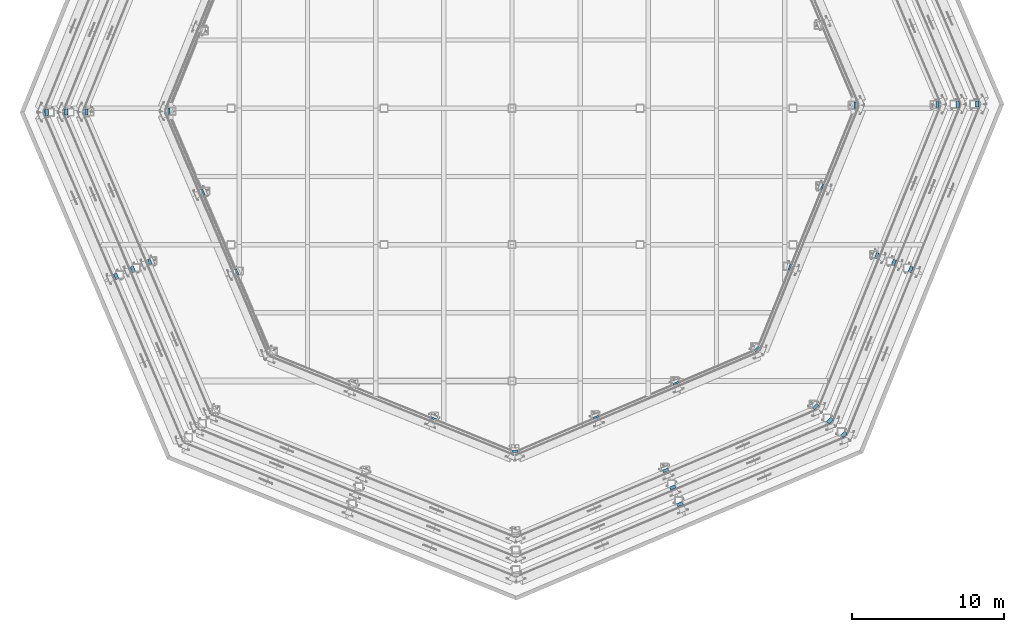
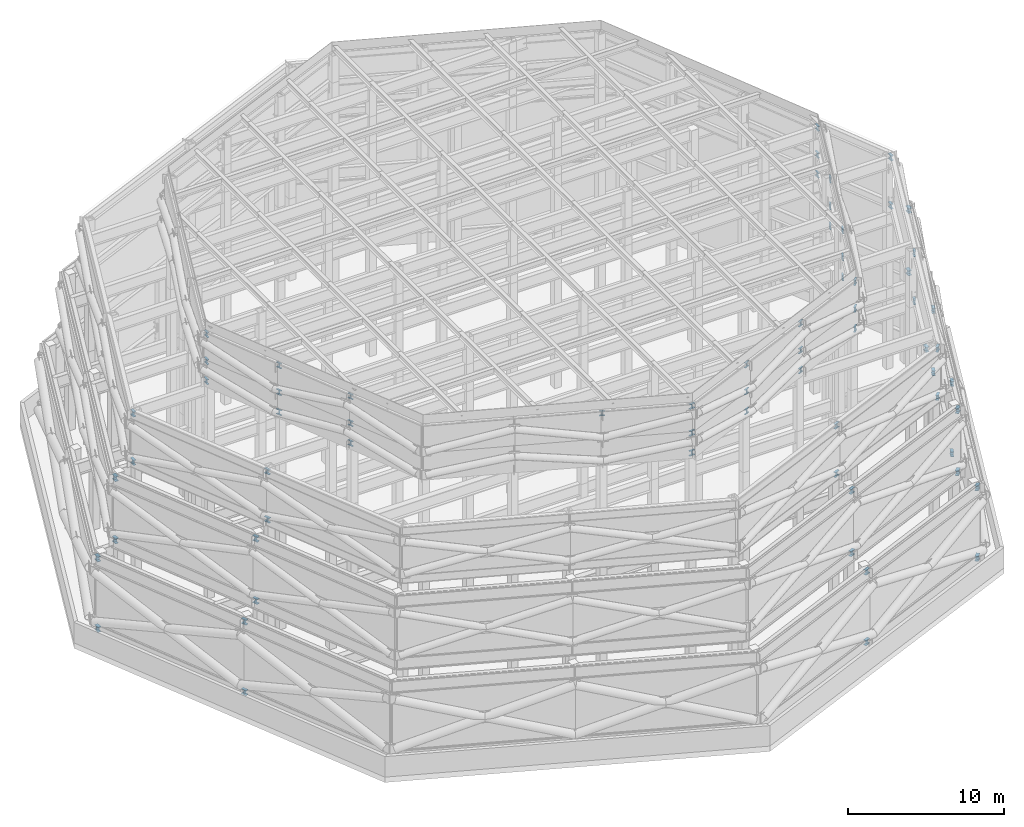
# One storey, part 14 of 19: 66 members.
"""IFC4 building model written with IfcOpenShell, lengths in metres."""

from ifc_helpers import new_model, si_unit, direction, frame, origin, origin_2d, place, context, subcontext, project, spatial, i_section, extrude, material, material_profile, profile_set, type_object, element, save


model = new_model("IFC4")

# Units and contexts
model_context = context("Model", 3, precision=1e-05, world=origin(), true_north=direction((0.0, 1.0)))
body_context = subcontext(model_context, "Body", "Model", "MODEL_VIEW")
ifc_project = project(units=[si_unit("LENGTHUNIT", "METRE"), si_unit("AREAUNIT", "SQUARE_METRE"), si_unit("VOLUMEUNIT", "CUBIC_METRE"), si_unit("PLANEANGLEUNIT", "RADIAN"), si_unit("MASSUNIT", "GRAM", prefix="KILO")], contexts=[model_context])

# Site, building, storey
site_placement = place(None, origin())
site = spatial("IfcSite", under=ifc_project, at=site_placement, CompositionType="ELEMENT")
building_placement = place(site_placement, origin())
building = spatial("IfcBuilding", under=site, at=building_placement, Name="Orlundy Tower", CompositionType="ELEMENT")
storey_placement = place(building_placement, frame((0.0, 0.0, 304.300048828125)))
storey = spatial("IfcBuildingStorey", under=building, at=storey_placement, Name="Roof", CompositionType="ELEMENT", Elevation=304.300048828125)

# Members
ifc_material = material(Name="Steel ASTM A992 Gr 50", Category="steel")
ifc_material_profile = material_profile(ifc_material, i_section(OverallWidth=0.39892578125, OverallDepth=0.393310546875, WebThickness=0.022705078125, FlangeThickness=0.03662109375, at=origin_2d()), Name="W14X193")
ifc_profile_set = profile_set([ifc_material_profile], Name="Steel ASTM A992 Gr 50")
member_type = type_object("IfcMemberType", Name="CROWN FRAME strut W14X193", PredefinedType="STRUT", material=ifc_profile_set)
member_1_placement = place(storey_placement, frame((-30.5908203125, -0.26708984375, 0.533935546875), z_axis=(-0.999959258392, -0.009026713466, 0.0), x_axis=(0.009026713466, -0.999959258392, 0.0)))
element("IfcMember", 1, at=member_1_placement, inside=storey, type_object=member_type, Name="CROWN FRAME foot ring connector 1-07", PredefinedType="STRUT", context=body_context, shape_type="SweptSolid", body=[
    extrude(i_section(OverallWidth=0.39892578125, OverallDepth=0.393310546875, WebThickness=0.022705078125, FlangeThickness=0.03662109375, at=origin_2d()), origin(), (0.0, 0.0, 1.0), 0.243408203125),
])
for number, where, z_axis, x_axis, name in (
    (2, (-26.025390625, -11.04736328125, 0.533935546875), (-0.920779335628, -0.390083856473, 0.0), (0.390083856473, -0.920779335628, 0.0), "CROWN FRAME foot ring connector 1-08"),
    (3, (11.04736328125, -26.025390625, 0.533935546875), (0.390083856473, -0.920779335628, 0.0), (0.920779335628, 0.390083856473, 0.0), "CROWN FRAME foot ring connector 1-12"),
):
    element("IfcMember", number, at=place(storey_placement, frame(where, z_axis=z_axis, x_axis=x_axis)), inside=storey, type_object=member_type, Name=name, PredefinedType="STRUT", context=body_context, shape_type="SweptSolid", body=[
        extrude(i_section(OverallWidth=0.39892578125, OverallDepth=0.393310546875, WebThickness=0.022705078125, FlangeThickness=0.03662109375, at=origin_2d()), origin(), (0.0, 0.0, 1.0), 0.21533203125),
    ])
member_2_placement = place(storey_placement, frame((21.81982421875, -21.442138671875, 0.533935546875), z_axis=(0.713591298906, -0.700562244291, 0.0), x_axis=(0.700562244291, 0.713591298906, 0.0)))
element("IfcMember", 4, at=member_2_placement, inside=storey, type_object=member_type, Name="CROWN FRAME foot ring connector 1-13", PredefinedType="STRUT", context=body_context, shape_type="SweptSolid", body=[
    extrude(i_section(OverallWidth=0.39892578125, OverallDepth=0.393310546875, WebThickness=0.022705078125, FlangeThickness=0.03662109375, at=origin_2d()), origin(), (0.0, 0.0, 1.0), 0.24365234375),
])
member_3_placement = place(storey_placement, frame((26.21435546875, -10.591064453125, 0.533935546875), z_axis=(0.926984343813, -0.375100021763, 0.0), x_axis=(0.375100021763, 0.926984343813, 0.0)))
element("IfcMember", 5, at=member_3_placement, inside=storey, type_object=member_type, Name="CROWN FRAME foot ring connector 1-14", PredefinedType="STRUT", context=body_context, shape_type="SweptSolid", body=[
    extrude(i_section(OverallWidth=0.39892578125, OverallDepth=0.393310546875, WebThickness=0.022705078125, FlangeThickness=0.03662109375, at=origin_2d()), origin(), (0.0, 0.0, 1.0), 0.21533203125),
])
member_4_placement = place(storey_placement, frame((30.5908203125, 0.26708984375, 0.533935546875), z_axis=(0.999959258392, 0.009026713466, 0.0), x_axis=(-0.009026713466, 0.999959258392, 0.0)))
element("IfcMember", 6, at=member_4_placement, inside=storey, type_object=member_type, Name="CROWN FRAME foot ring connector 1-15", PredefinedType="STRUT", context=body_context, shape_type="SweptSolid", body=[
    extrude(i_section(OverallWidth=0.39892578125, OverallDepth=0.393310546875, WebThickness=0.022705078125, FlangeThickness=0.03662109375, at=origin_2d()), origin(), (0.0, 0.0, 1.0), 0.243408203125),
])
member_5_placement = place(storey_placement, frame((-30.5908203125, -0.26708984375, 6.0263671875), z_axis=(-0.999960457125, -0.008892928967, 0.0), x_axis=(0.008892928967, -0.999960457125, 0.0)))
element("IfcMember", 7, at=member_5_placement, inside=storey, type_object=member_type, Name="CROWN FRAME head ring connector 1-07", PredefinedType="STRUT", context=body_context, shape_type="SweptSolid", body=[
    extrude(i_section(OverallWidth=0.39892578125, OverallDepth=0.393310546875, WebThickness=0.022705078125, FlangeThickness=0.03662109375, at=origin_2d()), origin(), (0.0, 0.0, 1.0), 0.2470703125),
])
for number, where, z_axis, x_axis, name in (
    (8, (-26.025390625, -11.04736328125, 6.0263671875), (-0.920411318566, -0.390951409585, 0.0), (0.390951409585, -0.920411318566, 0.0), "CROWN FRAME head ring connector 1-08"),
    (9, (11.04736328125, -26.025390625, 6.0263671875), (0.390951409585, -0.920411318566, 0.0), (0.920411318566, 0.390951409585, 0.0), "CROWN FRAME head ring connector 1-12"),
):
    element("IfcMember", number, at=place(storey_placement, frame(where, z_axis=z_axis, x_axis=x_axis)), inside=storey, type_object=member_type, Name=name, PredefinedType="STRUT", context=body_context, shape_type="SweptSolid", body=[
        extrude(i_section(OverallWidth=0.39892578125, OverallDepth=0.393310546875, WebThickness=0.022705078125, FlangeThickness=0.03662109375, at=origin_2d()), origin(), (0.0, 0.0, 1.0), 0.218505859375),
    ])
member_6_placement = place(storey_placement, frame((21.81982421875, -21.442138671875, 6.0263671875), z_axis=(0.713501090802, -0.700654118253, 0.0), x_axis=(0.700654118253, 0.713501090802, 0.0)))
element("IfcMember", 10, at=member_6_placement, inside=storey, type_object=member_type, Name="CROWN FRAME head ring connector 1-13", PredefinedType="STRUT", context=body_context, shape_type="SweptSolid", body=[
    extrude(i_section(OverallWidth=0.39892578125, OverallDepth=0.393310546875, WebThickness=0.022705078125, FlangeThickness=0.03662109375, at=origin_2d()), origin(), (0.0, 0.0, 1.0), 0.2470703125),
])
member_7_placement = place(storey_placement, frame((26.21435546875, -10.591064453125, 6.0263671875), z_axis=(0.92692831694, -0.375238451195, 0.0), x_axis=(0.375238451195, 0.92692831694, 0.0)))
element("IfcMember", 11, at=member_7_placement, inside=storey, type_object=member_type, Name="CROWN FRAME head ring connector 1-14", PredefinedType="STRUT", context=body_context, shape_type="SweptSolid", body=[
    extrude(i_section(OverallWidth=0.39892578125, OverallDepth=0.393310546875, WebThickness=0.022705078125, FlangeThickness=0.03662109375, at=origin_2d()), origin(), (0.0, 0.0, 1.0), 0.218505859375),
])
member_8_placement = place(storey_placement, frame((-29.2919921875, -0.255859375, 6.9736328125), z_axis=(-0.999968755858, -0.007904891351, 0.0), x_axis=(0.007904891351, -0.999968755858, 0.0)))
element("IfcMember", 12, at=member_8_placement, inside=storey, type_object=member_type, Name="CROWN FRAME foot ring connector 2-07", PredefinedType="STRUT", context=body_context, shape_type="SweptSolid", body=[
    extrude(i_section(OverallWidth=0.39892578125, OverallDepth=0.393310546875, WebThickness=0.022705078125, FlangeThickness=0.03662109375, at=origin_2d()), origin(), (0.0, 0.0, 1.0), 0.2470703125),
])
for number, where, z_axis, x_axis, name in (
    (13, (-24.9208984375, -10.578369140625, 6.9736328125), (-0.920240328682, -0.391353724227, 0.0), (0.391353724227, -0.920240328682, 0.0), "CROWN FRAME foot ring connector 2-08"),
    (14, (10.578369140625, -24.9208984375, 6.9736328125), (0.391353724227, -0.920240328682, 0.0), (0.920240328682, 0.391353724227, 0.0), "CROWN FRAME foot ring connector 2-12"),
):
    element("IfcMember", number, at=place(storey_placement, frame(where, z_axis=z_axis, x_axis=x_axis)), inside=storey, type_object=member_type, Name=name, PredefinedType="STRUT", context=body_context, shape_type="SweptSolid", body=[
        extrude(i_section(OverallWidth=0.39892578125, OverallDepth=0.393310546875, WebThickness=0.022705078125, FlangeThickness=0.03662109375, at=origin_2d()), origin(), (0.0, 0.0, 1.0), 0.21826171875),
    ])
member_9_placement = place(storey_placement, frame((20.8935546875, -20.53173828125, 6.9736328125), z_axis=(0.713015439878, -0.701148331308, 0.0), x_axis=(0.701148331308, 0.713015439878, 0.0)))
element("IfcMember", 15, at=member_9_placement, inside=storey, type_object=member_type, Name="CROWN FRAME foot ring connector 2-13", PredefinedType="STRUT", context=body_context, shape_type="SweptSolid", body=[
    extrude(i_section(OverallWidth=0.39892578125, OverallDepth=0.393310546875, WebThickness=0.022705078125, FlangeThickness=0.03662109375, at=origin_2d()), origin(), (0.0, 0.0, 1.0), 0.246826171875),
])
member_10_placement = place(storey_placement, frame((25.101806640625, -10.1416015625, 6.9736328125), z_axis=(0.927159667868, -0.374666452033, 0.0), x_axis=(0.374666452033, 0.927159667868, 0.0)))
element("IfcMember", 16, at=member_10_placement, inside=storey, type_object=member_type, Name="CROWN FRAME foot ring connector 2-14", PredefinedType="STRUT", context=body_context, shape_type="SweptSolid", body=[
    extrude(i_section(OverallWidth=0.39892578125, OverallDepth=0.393310546875, WebThickness=0.022705078125, FlangeThickness=0.03662109375, at=origin_2d()), origin(), (0.0, 0.0, 1.0), 0.21826171875),
])
for number, where, z_axis, x_axis, name in (
    (17, (29.2919921875, 0.255859375, 6.9736328125), (0.999968755858, 0.007904891351, 0.0), (-0.007904891351, 0.999968755858, 0.0), "CROWN FRAME foot ring connector 2-15"),
    (18, (-29.2919921875, -0.255859375, 11.826416015625), (-0.999968755858, -0.007904891351, 0.0), (0.007904891351, -0.999968755858, 0.0), "CROWN FRAME head ring connector 2-07"),
):
    element("IfcMember", number, at=place(storey_placement, frame(where, z_axis=z_axis, x_axis=x_axis)), inside=storey, type_object=member_type, Name=name, PredefinedType="STRUT", context=body_context, shape_type="SweptSolid", body=[
        extrude(i_section(OverallWidth=0.39892578125, OverallDepth=0.393310546875, WebThickness=0.022705078125, FlangeThickness=0.03662109375, at=origin_2d()), origin(), (0.0, 0.0, 1.0), 0.2470703125),
    ])
for number, where, z_axis, x_axis, name in (
    (19, (-24.9208984375, -10.578369140625, 11.826416015625), (-0.920240328682, -0.391353724227, 0.0), (0.391353724227, -0.920240328682, 0.0), "CROWN FRAME head ring connector 2-08"),
    (20, (10.578369140625, -24.9208984375, 11.826416015625), (0.391353724227, -0.920240328682, 0.0), (0.920240328682, 0.391353724227, 0.0), "CROWN FRAME head ring connector 2-12"),
):
    element("IfcMember", number, at=place(storey_placement, frame(where, z_axis=z_axis, x_axis=x_axis)), inside=storey, type_object=member_type, Name=name, PredefinedType="STRUT", context=body_context, shape_type="SweptSolid", body=[
        extrude(i_section(OverallWidth=0.39892578125, OverallDepth=0.393310546875, WebThickness=0.022705078125, FlangeThickness=0.03662109375, at=origin_2d()), origin(), (0.0, 0.0, 1.0), 0.21826171875),
    ])
member_11_placement = place(storey_placement, frame((20.8935546875, -20.53173828125, 11.826416015625), z_axis=(0.713015439878, -0.701148331308, 0.0), x_axis=(0.701148331308, 0.713015439878, 0.0)))
element("IfcMember", 21, at=member_11_placement, inside=storey, type_object=member_type, Name="CROWN FRAME head ring connector 2-13", PredefinedType="STRUT", context=body_context, shape_type="SweptSolid", body=[
    extrude(i_section(OverallWidth=0.39892578125, OverallDepth=0.393310546875, WebThickness=0.022705078125, FlangeThickness=0.03662109375, at=origin_2d()), origin(), (0.0, 0.0, 1.0), 0.246826171875),
])
member_12_placement = place(storey_placement, frame((25.101806640625, -10.1416015625, 11.826416015625), z_axis=(0.927159667868, -0.374666452033, 0.0), x_axis=(0.374666452033, 0.927159667868, 0.0)))
element("IfcMember", 22, at=member_12_placement, inside=storey, type_object=member_type, Name="CROWN FRAME head ring connector 2-14", PredefinedType="STRUT", context=body_context, shape_type="SweptSolid", body=[
    extrude(i_section(OverallWidth=0.39892578125, OverallDepth=0.393310546875, WebThickness=0.022705078125, FlangeThickness=0.03662109375, at=origin_2d()), origin(), (0.0, 0.0, 1.0), 0.21826171875),
])
member_13_placement = place(storey_placement, frame((29.2919921875, 0.255859375, 11.826416015625), z_axis=(0.999968755858, 0.007904891351, 0.0), x_axis=(-0.007904891351, 0.999968755858, 0.0)))
element("IfcMember", 23, at=member_13_placement, inside=storey, type_object=member_type, Name="CROWN FRAME head ring connector 2-15", PredefinedType="STRUT", context=body_context, shape_type="SweptSolid", body=[
    extrude(i_section(OverallWidth=0.39892578125, OverallDepth=0.393310546875, WebThickness=0.022705078125, FlangeThickness=0.03662109375, at=origin_2d()), origin(), (0.0, 0.0, 1.0), 0.2470703125),
])
member_14_placement = place(storey_placement, frame((-27.9931640625, -0.244384765625, 12.617431640625), z_axis=(-0.999962006418, -0.008716978885, 0.0), x_axis=(0.008716978885, -0.999962006418, 0.0)))
element("IfcMember", 24, at=member_14_placement, inside=storey, type_object=member_type, Name="CROWN FRAME foot ring connector 3-07", PredefinedType="STRUT", context=body_context, shape_type="SweptSolid", body=[
    extrude(i_section(OverallWidth=0.39892578125, OverallDepth=0.393310546875, WebThickness=0.022705078125, FlangeThickness=0.03662109375, at=origin_2d()), origin(), (0.0, 0.0, 1.0), 0.196044921875),
])
for number, where, z_axis, x_axis, name in (
    (25, (-23.816162109375, -10.109619140625, 12.617431640625), (-0.920829692222, -0.389964970122, 0.0), (0.389964970122, -0.920829692222, 0.0), "CROWN FRAME foot ring connector 3-08"),
    (26, (10.109619140625, -23.816162109375, 12.617431640625), (0.389964970122, -0.920829692222, 0.0), (0.920829692222, 0.389964970122, 0.0), "CROWN FRAME foot ring connector 3-12"),
):
    element("IfcMember", number, at=place(storey_placement, frame(where, z_axis=z_axis, x_axis=x_axis)), inside=storey, type_object=member_type, Name=name, PredefinedType="STRUT", context=body_context, shape_type="SweptSolid", body=[
        extrude(i_section(OverallWidth=0.39892578125, OverallDepth=0.393310546875, WebThickness=0.022705078125, FlangeThickness=0.03662109375, at=origin_2d()), origin(), (0.0, 0.0, 1.0), 0.171630859375),
    ])
member_15_placement = place(storey_placement, frame((19.967041015625, -19.621337890625, 12.617431640625), z_axis=(0.713303676443, -0.700855095703, 0.0), x_axis=(0.700855095703, 0.713303676443, 0.0)))
element("IfcMember", 27, at=member_15_placement, inside=storey, type_object=member_type, Name="CROWN FRAME foot ring connector 3-13", PredefinedType="STRUT", context=body_context, shape_type="SweptSolid", body=[
    extrude(i_section(OverallWidth=0.39892578125, OverallDepth=0.393310546875, WebThickness=0.022705078125, FlangeThickness=0.03662109375, at=origin_2d()), origin(), (0.0, 0.0, 1.0), 0.196044921875),
])
member_16_placement = place(storey_placement, frame((23.989013671875, -9.692138671875, 12.617431640625), z_axis=(0.927393722821, -0.374086731751, 0.0), x_axis=(0.374086731751, 0.927393722821, 0.0)))
element("IfcMember", 28, at=member_16_placement, inside=storey, type_object=member_type, Name="CROWN FRAME foot ring connector 3-14", PredefinedType="STRUT", context=body_context, shape_type="SweptSolid", body=[
    extrude(i_section(OverallWidth=0.39892578125, OverallDepth=0.393310546875, WebThickness=0.022705078125, FlangeThickness=0.03662109375, at=origin_2d()), origin(), (0.0, 0.0, 1.0), 0.171630859375),
])
for number, where, z_axis, x_axis, name in (
    (29, (27.9931640625, 0.244384765625, 12.617431640625), (0.999962006418, 0.008716978885, 0.0), (-0.008716978885, 0.999962006418, 0.0), "CROWN FRAME foot ring connector 3-15"),
    (30, (-27.9931640625, -0.244384765625, 16.382568359375), (-0.999962006418, -0.008716978885, 0.0), (0.008716978885, -0.999962006418, 0.0), "CROWN FRAME head ring connector 3-07"),
):
    element("IfcMember", number, at=place(storey_placement, frame(where, z_axis=z_axis, x_axis=x_axis)), inside=storey, type_object=member_type, Name=name, PredefinedType="STRUT", context=body_context, shape_type="SweptSolid", body=[
        extrude(i_section(OverallWidth=0.39892578125, OverallDepth=0.393310546875, WebThickness=0.022705078125, FlangeThickness=0.03662109375, at=origin_2d()), origin(), (0.0, 0.0, 1.0), 0.196044921875),
    ])
for number, where, z_axis, x_axis, name in (
    (31, (-23.816162109375, -10.109619140625, 16.382568359375), (-0.920829692222, -0.389964970122, 0.0), (0.389964970122, -0.920829692222, 0.0), "CROWN FRAME head ring connector 3-08"),
    (32, (10.109619140625, -23.816162109375, 16.382568359375), (0.389964970122, -0.920829692222, 0.0), (0.920829692222, 0.389964970122, 0.0), "CROWN FRAME head ring connector 3-12"),
):
    element("IfcMember", number, at=place(storey_placement, frame(where, z_axis=z_axis, x_axis=x_axis)), inside=storey, type_object=member_type, Name=name, PredefinedType="STRUT", context=body_context, shape_type="SweptSolid", body=[
        extrude(i_section(OverallWidth=0.39892578125, OverallDepth=0.393310546875, WebThickness=0.022705078125, FlangeThickness=0.03662109375, at=origin_2d()), origin(), (0.0, 0.0, 1.0), 0.171630859375),
    ])
member_17_placement = place(storey_placement, frame((19.967041015625, -19.621337890625, 16.382568359375), z_axis=(0.713303676443, -0.700855095703, 0.0), x_axis=(0.700855095703, 0.713303676443, 0.0)))
element("IfcMember", 33, at=member_17_placement, inside=storey, type_object=member_type, Name="CROWN FRAME head ring connector 3-13", PredefinedType="STRUT", context=body_context, shape_type="SweptSolid", body=[
    extrude(i_section(OverallWidth=0.39892578125, OverallDepth=0.393310546875, WebThickness=0.022705078125, FlangeThickness=0.03662109375, at=origin_2d()), origin(), (0.0, 0.0, 1.0), 0.196044921875),
])
member_18_placement = place(storey_placement, frame((23.989013671875, -9.692138671875, 16.382568359375), z_axis=(0.927393722821, -0.374086731751, 0.0), x_axis=(0.374086731751, 0.927393722821, 0.0)))
element("IfcMember", 34, at=member_18_placement, inside=storey, type_object=member_type, Name="CROWN FRAME head ring connector 3-14", PredefinedType="STRUT", context=body_context, shape_type="SweptSolid", body=[
    extrude(i_section(OverallWidth=0.39892578125, OverallDepth=0.393310546875, WebThickness=0.022705078125, FlangeThickness=0.03662109375, at=origin_2d()), origin(), (0.0, 0.0, 1.0), 0.171630859375),
])
member_19_placement = place(storey_placement, frame((27.9931640625, 0.244384765625, 16.382568359375), z_axis=(0.999962006418, 0.008716978885, 0.0), x_axis=(-0.008716978885, 0.999962006418, 0.0)))
element("IfcMember", 35, at=member_19_placement, inside=storey, type_object=member_type, Name="CROWN FRAME head ring connector 3-15", PredefinedType="STRUT", context=body_context, shape_type="SweptSolid", body=[
    extrude(i_section(OverallWidth=0.39892578125, OverallDepth=0.393310546875, WebThickness=0.022705078125, FlangeThickness=0.03662109375, at=origin_2d()), origin(), (0.0, 0.0, 1.0), 0.196044921875),
])
member_20_placement = place(storey_placement, frame((-22.581298828125, -0.197265625, 16.974365234375), z_axis=(-0.999958378112, -0.009123707829, 0.0), x_axis=(0.009123707829, -0.999958378112, 0.0)))
element("IfcMember", 36, at=member_20_placement, inside=storey, type_object=member_type, Name="CROWN FRAME foot ring connector 4-10", PredefinedType="STRUT", context=body_context, shape_type="SweptSolid", body=[
    extrude(i_section(OverallWidth=0.39892578125, OverallDepth=0.393310546875, WebThickness=0.022705078125, FlangeThickness=0.03662109375, at=origin_2d()), origin(), (0.0, 0.0, 1.0), 0.1337890625),
])
for number, where, z_axis, x_axis, name in (
    (37, (-20.3330078125, -5.51904296875, 16.974365234375), (-0.919809121966, -0.392366128951, 0.0), (0.392366128951, -0.919809121966, 0.0), "CROWN FRAME foot ring connector 4-11"),
    (38, (-18.094482421875, -10.79248046875, 16.974365234375), (-0.919809121966, -0.392366128951, 0.0), (0.392366128951, -0.919809121966, 0.0), "CROWN FRAME foot ring connector 4-12"),
):
    element("IfcMember", number, at=place(storey_placement, frame(where, z_axis=z_axis, x_axis=x_axis)), inside=storey, type_object=member_type, Name=name, PredefinedType="STRUT", context=body_context, shape_type="SweptSolid", body=[
        extrude(i_section(OverallWidth=0.39892578125, OverallDepth=0.393310546875, WebThickness=0.022705078125, FlangeThickness=0.03662109375, at=origin_2d()), origin(), (0.0, 0.0, 1.0), 0.11376953125),
    ])
member_21_placement = place(storey_placement, frame((0.197265625, -22.581298828125, 16.974365234375), z_axis=(0.009123707829, -0.999958378112, 0.0), x_axis=(0.999958378112, 0.009123707829, 0.0)))
element("IfcMember", 39, at=member_21_placement, inside=storey, type_object=member_type, Name="CROWN FRAME foot ring connector 4-16", PredefinedType="STRUT", context=body_context, shape_type="SweptSolid", body=[
    extrude(i_section(OverallWidth=0.39892578125, OverallDepth=0.393310546875, WebThickness=0.022705078125, FlangeThickness=0.03662109375, at=origin_2d()), origin(), (0.0, 0.0, 1.0), 0.1337890625),
])
for number, where, z_axis, x_axis, name in (
    (40, (5.51904296875, -20.3330078125, 16.974365234375), (0.392366128951, -0.919809121966, 0.0), (0.919809121966, 0.392366128951, 0.0), "CROWN FRAME foot ring connector 4-17"),
    (41, (10.79248046875, -18.094482421875, 16.974365234375), (0.392366128951, -0.919809121966, 0.0), (0.919809121966, 0.392366128951, 0.0), "CROWN FRAME foot ring connector 4-18"),
):
    element("IfcMember", number, at=place(storey_placement, frame(where, z_axis=z_axis, x_axis=x_axis)), inside=storey, type_object=member_type, Name=name, PredefinedType="STRUT", context=body_context, shape_type="SweptSolid", body=[
        extrude(i_section(OverallWidth=0.39892578125, OverallDepth=0.393310546875, WebThickness=0.022705078125, FlangeThickness=0.03662109375, at=origin_2d()), origin(), (0.0, 0.0, 1.0), 0.11376953125),
    ])
member_22_placement = place(storey_placement, frame((16.10693359375, -15.828125, 16.974365234375), z_axis=(0.713464449891, -0.700691429049, 0.0), x_axis=(0.700691429049, 0.713464449891, 0.0)))
element("IfcMember", 42, at=member_22_placement, inside=storey, type_object=member_type, Name="CROWN FRAME foot ring connector 4-19", PredefinedType="STRUT", context=body_context, shape_type="SweptSolid", body=[
    extrude(i_section(OverallWidth=0.39892578125, OverallDepth=0.393310546875, WebThickness=0.022705078125, FlangeThickness=0.03662109375, at=origin_2d()), origin(), (0.0, 0.0, 1.0), 0.1337890625),
])
member_23_placement = place(storey_placement, frame((18.280029296875, -10.474853515625, 16.974365234375), z_axis=(0.927141722235, -0.374710857716, 0.0), x_axis=(0.374710857716, 0.927141722235, 0.0)))
element("IfcMember", 43, at=member_23_placement, inside=storey, type_object=member_type, Name="CROWN FRAME foot ring connector 4-20", PredefinedType="STRUT", context=body_context, shape_type="SweptSolid", body=[
    extrude(i_section(OverallWidth=0.39892578125, OverallDepth=0.393310546875, WebThickness=0.022705078125, FlangeThickness=0.03662109375, at=origin_2d()), origin(), (0.0, 0.0, 1.0), 0.114013671875),
])
member_24_placement = place(storey_placement, frame((20.42626953125, -5.1630859375, 16.974365234375), z_axis=(0.926840181919, -0.375456092213, 0.0), x_axis=(0.375456092213, 0.926840181919, 0.0)))
element("IfcMember", 44, at=member_24_placement, inside=storey, type_object=member_type, Name="CROWN FRAME foot ring connector 4-21", PredefinedType="STRUT", context=body_context, shape_type="SweptSolid", body=[
    extrude(i_section(OverallWidth=0.39892578125, OverallDepth=0.393310546875, WebThickness=0.022705078125, FlangeThickness=0.03662109375, at=origin_2d()), origin(), (0.0, 0.0, 1.0), 0.11376953125),
])
for number, where, z_axis, x_axis, name in (
    (45, (22.581298828125, 0.197265625, 16.974365234375), (0.999958378112, 0.009123707829, 0.0), (-0.009123707829, 0.999958378112, 0.0), "CROWN FRAME foot ring connector 4-22"),
    (46, (-22.581298828125, -0.197265625, 18.525390625), (-0.999958378112, -0.009123707829, 0.0), (0.009123707829, -0.999958378112, 0.0), "CROWN FRAME head ring connector 4-10"),
):
    element("IfcMember", number, at=place(storey_placement, frame(where, z_axis=z_axis, x_axis=x_axis)), inside=storey, type_object=member_type, Name=name, PredefinedType="STRUT", context=body_context, shape_type="SweptSolid", body=[
        extrude(i_section(OverallWidth=0.39892578125, OverallDepth=0.393310546875, WebThickness=0.022705078125, FlangeThickness=0.03662109375, at=origin_2d()), origin(), (0.0, 0.0, 1.0), 0.1337890625),
    ])
for number, where, z_axis, x_axis, name in (
    (47, (-20.3330078125, -5.51904296875, 18.525390625), (-0.919809121966, -0.392366128951, 0.0), (0.392366128951, -0.919809121966, 0.0), "CROWN FRAME head ring connector 4-11"),
    (48, (-18.094482421875, -10.79248046875, 18.525390625), (-0.919809121966, -0.392366128951, 0.0), (0.392366128951, -0.919809121966, 0.0), "CROWN FRAME head ring connector 4-12"),
):
    element("IfcMember", number, at=place(storey_placement, frame(where, z_axis=z_axis, x_axis=x_axis)), inside=storey, type_object=member_type, Name=name, PredefinedType="STRUT", context=body_context, shape_type="SweptSolid", body=[
        extrude(i_section(OverallWidth=0.39892578125, OverallDepth=0.393310546875, WebThickness=0.022705078125, FlangeThickness=0.03662109375, at=origin_2d()), origin(), (0.0, 0.0, 1.0), 0.11376953125),
    ])
member_25_placement = place(storey_placement, frame((0.197265625, -22.581298828125, 18.525390625), z_axis=(0.009123707829, -0.999958378112, 0.0), x_axis=(0.999958378112, 0.009123707829, 0.0)))
element("IfcMember", 49, at=member_25_placement, inside=storey, type_object=member_type, Name="CROWN FRAME head ring connector 4-16", PredefinedType="STRUT", context=body_context, shape_type="SweptSolid", body=[
    extrude(i_section(OverallWidth=0.39892578125, OverallDepth=0.393310546875, WebThickness=0.022705078125, FlangeThickness=0.03662109375, at=origin_2d()), origin(), (0.0, 0.0, 1.0), 0.1337890625),
])
for number, where, z_axis, x_axis, name in (
    (50, (5.51904296875, -20.3330078125, 18.525390625), (0.392366128951, -0.919809121966, 0.0), (0.919809121966, 0.392366128951, 0.0), "CROWN FRAME head ring connector 4-17"),
    (51, (10.79248046875, -18.094482421875, 18.525390625), (0.392366128951, -0.919809121966, 0.0), (0.919809121966, 0.392366128951, 0.0), "CROWN FRAME head ring connector 4-18"),
):
    element("IfcMember", number, at=place(storey_placement, frame(where, z_axis=z_axis, x_axis=x_axis)), inside=storey, type_object=member_type, Name=name, PredefinedType="STRUT", context=body_context, shape_type="SweptSolid", body=[
        extrude(i_section(OverallWidth=0.39892578125, OverallDepth=0.393310546875, WebThickness=0.022705078125, FlangeThickness=0.03662109375, at=origin_2d()), origin(), (0.0, 0.0, 1.0), 0.11376953125),
    ])
member_26_placement = place(storey_placement, frame((16.10693359375, -15.828125, 18.525390625), z_axis=(0.713464449891, -0.700691429049, 0.0), x_axis=(0.700691429049, 0.713464449891, 0.0)))
element("IfcMember", 52, at=member_26_placement, inside=storey, type_object=member_type, Name="CROWN FRAME head ring connector 4-19", PredefinedType="STRUT", context=body_context, shape_type="SweptSolid", body=[
    extrude(i_section(OverallWidth=0.39892578125, OverallDepth=0.393310546875, WebThickness=0.022705078125, FlangeThickness=0.03662109375, at=origin_2d()), origin(), (0.0, 0.0, 1.0), 0.1337890625),
])
member_27_placement = place(storey_placement, frame((18.280029296875, -10.474853515625, 18.525390625), z_axis=(0.927141722235, -0.374710857716, 0.0), x_axis=(0.374710857716, 0.927141722235, 0.0)))
element("IfcMember", 53, at=member_27_placement, inside=storey, type_object=member_type, Name="CROWN FRAME head ring connector 4-20", PredefinedType="STRUT", context=body_context, shape_type="SweptSolid", body=[
    extrude(i_section(OverallWidth=0.39892578125, OverallDepth=0.393310546875, WebThickness=0.022705078125, FlangeThickness=0.03662109375, at=origin_2d()), origin(), (0.0, 0.0, 1.0), 0.114013671875),
])
member_28_placement = place(storey_placement, frame((20.42626953125, -5.1630859375, 18.525390625), z_axis=(0.926840181919, -0.375456092213, 0.0), x_axis=(0.375456092213, 0.926840181919, 0.0)))
element("IfcMember", 54, at=member_28_placement, inside=storey, type_object=member_type, Name="CROWN FRAME head ring connector 4-21", PredefinedType="STRUT", context=body_context, shape_type="SweptSolid", body=[
    extrude(i_section(OverallWidth=0.39892578125, OverallDepth=0.393310546875, WebThickness=0.022705078125, FlangeThickness=0.03662109375, at=origin_2d()), origin(), (0.0, 0.0, 1.0), 0.11376953125),
])
for number, where, z_axis, x_axis, name in (
    (55, (22.581298828125, 0.197265625, 18.525390625), (0.999958378112, 0.009123707829, 0.0), (-0.009123707829, 0.999958378112, 0.0), "CROWN FRAME head ring connector 4-22"),
    (56, (-22.581298828125, -0.197265625, 20.62548828125), (-0.999958378112, -0.009123707829, 0.0), (0.009123707829, -0.999958378112, 0.0), "CROWN FRAME head ring connector 5-10"),
):
    element("IfcMember", number, at=place(storey_placement, frame(where, z_axis=z_axis, x_axis=x_axis)), inside=storey, type_object=member_type, Name=name, PredefinedType="STRUT", context=body_context, shape_type="SweptSolid", body=[
        extrude(i_section(OverallWidth=0.39892578125, OverallDepth=0.393310546875, WebThickness=0.022705078125, FlangeThickness=0.03662109375, at=origin_2d()), origin(), (0.0, 0.0, 1.0), 0.1337890625),
    ])
for number, where, z_axis, x_axis, name in (
    (57, (-20.3330078125, -5.51904296875, 20.62548828125), (-0.919809121966, -0.392366128951, 0.0), (0.392366128951, -0.919809121966, 0.0), "CROWN FRAME head ring connector 5-11"),
    (58, (-18.094482421875, -10.79248046875, 20.62548828125), (-0.919809121966, -0.392366128951, 0.0), (0.392366128951, -0.919809121966, 0.0), "CROWN FRAME head ring connector 5-12"),
    (59, (-5.1630859375, -20.42626953125, 20.62548828125), (-0.375456092213, -0.926840181919, 0.0), (0.926840181919, -0.375456092213, 0.0), "CROWN FRAME head ring connector 5-15"),
):
    element("IfcMember", number, at=place(storey_placement, frame(where, z_axis=z_axis, x_axis=x_axis)), inside=storey, type_object=member_type, Name=name, PredefinedType="STRUT", context=body_context, shape_type="SweptSolid", body=[
        extrude(i_section(OverallWidth=0.39892578125, OverallDepth=0.393310546875, WebThickness=0.022705078125, FlangeThickness=0.03662109375, at=origin_2d()), origin(), (0.0, 0.0, 1.0), 0.11376953125),
    ])
member_29_placement = place(storey_placement, frame((0.197265625, -22.581298828125, 20.62548828125), z_axis=(0.009123707829, -0.999958378112, 0.0), x_axis=(0.999958378112, 0.009123707829, 0.0)))
element("IfcMember", 60, at=member_29_placement, inside=storey, type_object=member_type, Name="CROWN FRAME head ring connector 5-16", PredefinedType="STRUT", context=body_context, shape_type="SweptSolid", body=[
    extrude(i_section(OverallWidth=0.39892578125, OverallDepth=0.393310546875, WebThickness=0.022705078125, FlangeThickness=0.03662109375, at=origin_2d()), origin(), (0.0, 0.0, 1.0), 0.1337890625),
])
for number, where, z_axis, x_axis, name in (
    (61, (5.51904296875, -20.3330078125, 20.62548828125), (0.392366128951, -0.919809121966, 0.0), (0.919809121966, 0.392366128951, 0.0), "CROWN FRAME head ring connector 5-17"),
    (62, (10.79248046875, -18.094482421875, 20.62548828125), (0.392366128951, -0.919809121966, 0.0), (0.919809121966, 0.392366128951, 0.0), "CROWN FRAME head ring connector 5-18"),
):
    element("IfcMember", number, at=place(storey_placement, frame(where, z_axis=z_axis, x_axis=x_axis)), inside=storey, type_object=member_type, Name=name, PredefinedType="STRUT", context=body_context, shape_type="SweptSolid", body=[
        extrude(i_section(OverallWidth=0.39892578125, OverallDepth=0.393310546875, WebThickness=0.022705078125, FlangeThickness=0.03662109375, at=origin_2d()), origin(), (0.0, 0.0, 1.0), 0.11376953125),
    ])
member_30_placement = place(storey_placement, frame((16.10693359375, -15.828125, 20.62548828125), z_axis=(0.713464449891, -0.700691429049, 0.0), x_axis=(0.700691429049, 0.713464449891, 0.0)))
element("IfcMember", 63, at=member_30_placement, inside=storey, type_object=member_type, Name="CROWN FRAME head ring connector 5-19", PredefinedType="STRUT", context=body_context, shape_type="SweptSolid", body=[
    extrude(i_section(OverallWidth=0.39892578125, OverallDepth=0.393310546875, WebThickness=0.022705078125, FlangeThickness=0.03662109375, at=origin_2d()), origin(), (0.0, 0.0, 1.0), 0.1337890625),
])
member_31_placement = place(storey_placement, frame((18.280029296875, -10.474853515625, 20.62548828125), z_axis=(0.927141722235, -0.374710857716, 0.0), x_axis=(0.374710857716, 0.927141722235, 0.0)))
element("IfcMember", 64, at=member_31_placement, inside=storey, type_object=member_type, Name="CROWN FRAME head ring connector 5-20", PredefinedType="STRUT", context=body_context, shape_type="SweptSolid", body=[
    extrude(i_section(OverallWidth=0.39892578125, OverallDepth=0.393310546875, WebThickness=0.022705078125, FlangeThickness=0.03662109375, at=origin_2d()), origin(), (0.0, 0.0, 1.0), 0.114013671875),
])
member_32_placement = place(storey_placement, frame((20.42626953125, -5.1630859375, 20.62548828125), z_axis=(0.926840181919, -0.375456092213, 0.0), x_axis=(0.375456092213, 0.926840181919, 0.0)))
element("IfcMember", 65, at=member_32_placement, inside=storey, type_object=member_type, Name="CROWN FRAME head ring connector 5-21", PredefinedType="STRUT", context=body_context, shape_type="SweptSolid", body=[
    extrude(i_section(OverallWidth=0.39892578125, OverallDepth=0.393310546875, WebThickness=0.022705078125, FlangeThickness=0.03662109375, at=origin_2d()), origin(), (0.0, 0.0, 1.0), 0.11376953125),
])
member_33_placement = place(storey_placement, frame((22.581298828125, 0.197265625, 20.62548828125), z_axis=(0.999958378112, 0.009123707829, 0.0), x_axis=(-0.009123707829, 0.999958378112, 0.0)))
element("IfcMember", 66, at=member_33_placement, inside=storey, type_object=member_type, Name="CROWN FRAME head ring connector 5-22", PredefinedType="STRUT", context=body_context, shape_type="SweptSolid", body=[
    extrude(i_section(OverallWidth=0.39892578125, OverallDepth=0.393310546875, WebThickness=0.022705078125, FlangeThickness=0.03662109375, at=origin_2d()), origin(), (0.0, 0.0, 1.0), 0.1337890625),
])

save(model, "model.ifc")
